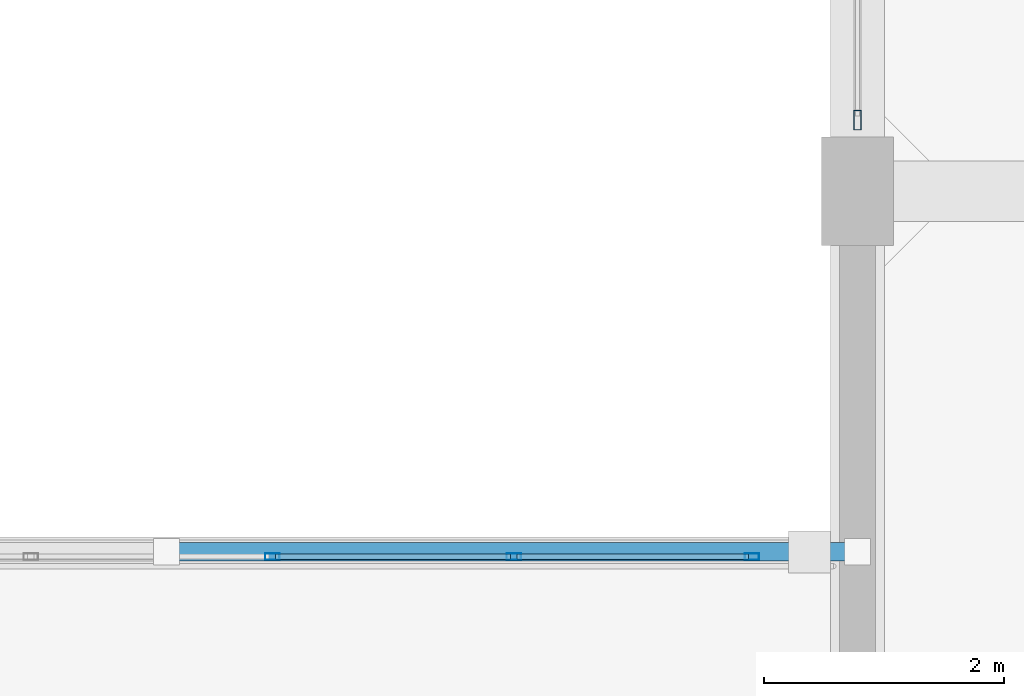
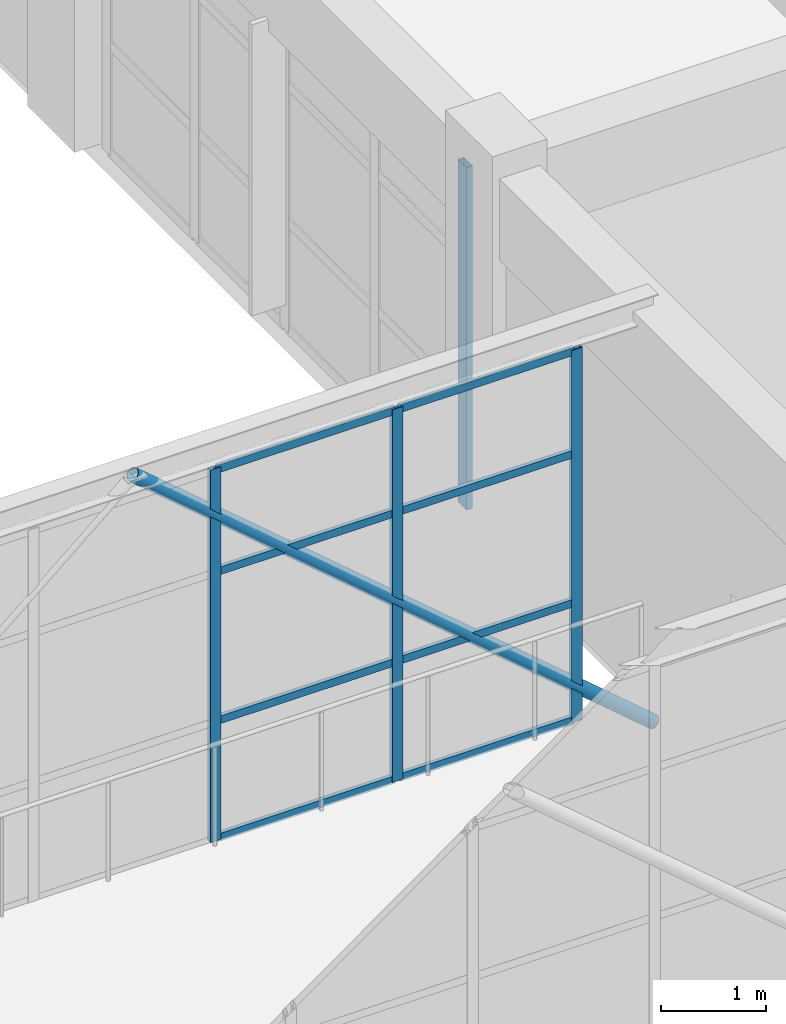
# One storey, part 105 of 248: 13 members, 2 elements without a shape of their own.
"""IFC4 building model written with IfcOpenShell, lengths in metres."""

from ifc_helpers import new_model, si_unit, direction, frame, origin, origin_2d, place, context, subcontext, project, spatial, hollow_rectangle, hollow_circle, extrude, material, layer, layer_set, material_profile, profile_set, type_object, element, aggregate, save


model = new_model("IFC4")

# Units and contexts
model_context = context("Model", 3, precision=1e-05, world=origin(), true_north=direction((0.0, 1.0)))
body_context = subcontext(model_context, "Body", "Model", "MODEL_VIEW")
ifc_project = project(units=[si_unit("LENGTHUNIT", "METRE"), si_unit("AREAUNIT", "SQUARE_METRE"), si_unit("VOLUMEUNIT", "CUBIC_METRE"), si_unit("PLANEANGLEUNIT", "RADIAN"), si_unit("MASSUNIT", "GRAM", prefix="KILO")], contexts=[model_context])

# Site, building, storey
site_placement = place(None, origin())
site = spatial("IfcSite", under=ifc_project, at=site_placement, CompositionType="ELEMENT")
building_placement = place(site_placement, origin())
building = spatial("IfcBuilding", under=site, at=building_placement, Name="Canggui Botanical Conservatory", CompositionType="ELEMENT")
storey_placement = place(building_placement, frame((0.0, 0.0, 5.39990234375)))
storey = spatial("IfcBuildingStorey", under=building, at=storey_placement, Name="L02", CompositionType="ELEMENT", Elevation=5.39990234375)

# Curtain wall, member
ifc_material_1 = material(Name="Thermally Broken Aluminium", Category="aluminium")
ifc_layer_1 = layer(ifc_material_1, 0.1650390625, Name="Thermally Broken Aluminium", Category="aluminium")
ifc_layer_set_1 = layer_set([ifc_layer_1], Name="Thermally Broken Aluminium")
curtain_wall_type_1 = type_object("IfcCurtainWallType", Name="CW-UNIT-B", PredefinedType="USERDEFINED", material=ifc_layer_set_1)
curtain_wall_1_placement = place(storey_placement, origin())
curtain_wall_1 = element("IfcCurtainWall", 1, at=curtain_wall_1_placement, inside=storey, type_object=curtain_wall_type_1, Name="Facade Curtain Wall CW-TWR-L02-08", ObjectType="UNITISED CURTAIN WALL", PredefinedType="USERDEFINED")
ifc_material_profile_1 = material_profile(ifc_material_1, hollow_rectangle(XDim=0.06494140625, YDim=0.1650390625, WallThickness=0.00390625, at=origin_2d()), Name="CWM 65x165x4")
ifc_profile_set_1 = profile_set([ifc_material_profile_1], Name="Thermally Broken Aluminium")
member_type_1 = type_object("IfcMemberType", Name="CWM-02", PredefinedType="MULLION", material=ifc_profile_set_1)
member_1_placement = place(storey_placement, frame((130.0, 34.592529296875, 0.0), z_axis=(0.0, 0.0, 1.0), x_axis=(-1.0, 0.0, 0.0)))
member_1 = element("IfcMember", 2, at=member_1_placement, type_object=member_type_1, Name="CW-02 mullion 1", PredefinedType="MULLION", context=body_context, shape_type="SweptSolid", body=[
    extrude(hollow_rectangle(XDim=0.06494140625, YDim=0.1650390625, WallThickness=0.00390625, at=origin_2d()), origin(), (0.0, 0.0, 1.0), 4.0),
])
aggregate(curtain_wall_1, [member_1])

# Curtain wall, members
ifc_layer_2 = layer(ifc_material_1, 0.1201171875, Name="Thermally Broken Aluminium", Category="aluminium")
ifc_layer_set_2 = layer_set([ifc_layer_2], Name="Thermally Broken Aluminium")
curtain_wall_type_2 = type_object("IfcCurtainWallType", Name="CW-STICK-B", PredefinedType="USERDEFINED", material=ifc_layer_set_2)
curtain_wall_2_placement = place(storey_placement, origin())
curtain_wall_2 = element("IfcCurtainWall", 3, at=curtain_wall_2_placement, inside=storey, type_object=curtain_wall_type_2, Name="Facade Curtain Wall CW-SB-01-2", ObjectType="STICK GLAZED WALL", PredefinedType="USERDEFINED")
ifc_material_profile_2 = material_profile(ifc_material_1, hollow_rectangle(XDim=0.054931640625, YDim=0.1201171875, WallThickness=0.0029296875, at=origin_2d()), Name="CWM 55x120x3")
ifc_profile_set_2 = profile_set([ifc_material_profile_2], Name="Thermally Broken Aluminium")
member_type_2 = type_object("IfcMemberType", Name="CWM-05", PredefinedType="MULLION", material=ifc_profile_set_2)
member_2_placement = place(storey_placement, frame((125.130615234375, 30.9599609375, 0.0), z_axis=(0.0, 0.0, 1.0), x_axis=(0.0, 1.0, 0.0)))
member_2 = element("IfcMember", 4, at=member_2_placement, type_object=member_type_2, Name="CW-05 mullion 30", PredefinedType="MULLION", context=body_context, shape_type="SweptSolid", body=[
    extrude(hollow_rectangle(XDim=0.054931640625, YDim=0.1201171875, WallThickness=0.0029296875, at=origin_2d()), origin(), (0.0, 0.0, 1.0), 4.35009765625),
])
member_3_placement = place(storey_placement, frame((127.140380859375, 30.9599609375, 0.0), z_axis=(0.0, 0.0, 1.0), x_axis=(0.0, 1.0, 0.0)))
member_3 = element("IfcMember", 5, at=member_3_placement, type_object=member_type_2, Name="CW-05 mullion 31", PredefinedType="MULLION", context=body_context, shape_type="SweptSolid", body=[
    extrude(hollow_rectangle(XDim=0.054931640625, YDim=0.1201171875, WallThickness=0.0029296875, at=origin_2d()), origin(), (0.0, 0.0, 1.0), 4.35009765625),
])
member_4_placement = place(storey_placement, frame((129.12255859375, 30.9599609375, 0.0), z_axis=(0.0, 0.0, 1.0), x_axis=(0.0, 1.0, 0.0)))
member_4 = element("IfcMember", 6, at=member_4_placement, type_object=member_type_2, Name="CW-05 mullion 32", PredefinedType="MULLION", context=body_context, shape_type="SweptSolid", body=[
    extrude(hollow_rectangle(XDim=0.054931640625, YDim=0.1201171875, WallThickness=0.0029296875, at=origin_2d()), origin(), (0.0, 0.0, 1.0), 4.35009765625),
])
ifc_material_profile_3 = material_profile(ifc_material_1, hollow_rectangle(XDim=0.044921875, YDim=0.090087890625, WallThickness=0.0029296875, at=origin_2d()), Name="CWT 45x90x3")
ifc_profile_set_3 = profile_set([ifc_material_profile_3], Name="Thermally Broken Aluminium")
member_type_3 = type_object("IfcMemberType", Name="CWT-05", PredefinedType="USERDEFINED", material=ifc_profile_set_3)
member_5_placement = place(storey_placement, frame((125.158203125, 30.9599609375, 0.022705078125), z_axis=(1.0, 0.0, 0.0), x_axis=(0.0, 1.0, 0.0)))
member_5 = element("IfcMember", 7, at=member_5_placement, type_object=member_type_3, Name="CW-05 transom 30.1", ObjectType="TRANSOM", PredefinedType="USERDEFINED", context=body_context, shape_type="SweptSolid", body=[
    extrude(hollow_rectangle(XDim=0.044921875, YDim=0.090087890625, WallThickness=0.0029296875, at=origin_2d()), origin(), (0.0, 0.0, 1.0), 1.95458984375),
])
member_6_placement = place(storey_placement, frame((125.158203125, 30.9599609375, 1.39208984375), z_axis=(1.0, 0.0, 0.0), x_axis=(0.0, 1.0, 0.0)))
member_6 = element("IfcMember", 8, at=member_6_placement, type_object=member_type_3, Name="CW-05 transom 30.2", ObjectType="TRANSOM", PredefinedType="USERDEFINED", context=body_context, shape_type="SweptSolid", body=[
    extrude(hollow_rectangle(XDim=0.044921875, YDim=0.090087890625, WallThickness=0.0029296875, at=origin_2d()), origin(), (0.0, 0.0, 1.0), 1.95458984375),
])
member_7_placement = place(storey_placement, frame((125.158203125, 30.9599609375, 3.132080078125), z_axis=(1.0, 0.0, 0.0), x_axis=(0.0, 1.0, 0.0)))
member_7 = element("IfcMember", 9, at=member_7_placement, type_object=member_type_3, Name="CW-05 transom 30.3", ObjectType="TRANSOM", PredefinedType="USERDEFINED", context=body_context, shape_type="SweptSolid", body=[
    extrude(hollow_rectangle(XDim=0.044921875, YDim=0.090087890625, WallThickness=0.0029296875, at=origin_2d()), origin(), (0.0, 0.0, 1.0), 1.95458984375),
])
member_8_placement = place(storey_placement, frame((125.158203125, 30.9599609375, 4.32763671875), z_axis=(1.0, 0.0, 0.0), x_axis=(0.0, 1.0, 0.0)))
member_8 = element("IfcMember", 10, at=member_8_placement, type_object=member_type_3, Name="CW-05 transom 30.4", ObjectType="TRANSOM", PredefinedType="USERDEFINED", context=body_context, shape_type="SweptSolid", body=[
    extrude(hollow_rectangle(XDim=0.044921875, YDim=0.090087890625, WallThickness=0.0029296875, at=origin_2d()), origin(), (0.0, 0.0, 1.0), 1.95458984375),
])
member_9_placement = place(storey_placement, frame((127.167724609375, 30.9599609375, 0.022705078125), z_axis=(1.0, 0.0, 0.0), x_axis=(0.0, 1.0, 0.0)))
member_9 = element("IfcMember", 11, at=member_9_placement, type_object=member_type_3, Name="CW-05 transom 31.1", ObjectType="TRANSOM", PredefinedType="USERDEFINED", context=body_context, shape_type="SweptSolid", body=[
    extrude(hollow_rectangle(XDim=0.044921875, YDim=0.090087890625, WallThickness=0.0029296875, at=origin_2d()), origin(), (0.0, 0.0, 1.0), 1.92724609375),
])
member_10_placement = place(storey_placement, frame((127.167724609375, 30.9599609375, 1.39208984375), z_axis=(1.0, 0.0, 0.0), x_axis=(0.0, 1.0, 0.0)))
member_10 = element("IfcMember", 12, at=member_10_placement, type_object=member_type_3, Name="CW-05 transom 31.2", ObjectType="TRANSOM", PredefinedType="USERDEFINED", context=body_context, shape_type="SweptSolid", body=[
    extrude(hollow_rectangle(XDim=0.044921875, YDim=0.090087890625, WallThickness=0.0029296875, at=origin_2d()), origin(), (0.0, 0.0, 1.0), 1.92724609375),
])
member_11_placement = place(storey_placement, frame((127.167724609375, 30.9599609375, 3.132080078125), z_axis=(1.0, 0.0, 0.0), x_axis=(0.0, 1.0, 0.0)))
member_11 = element("IfcMember", 13, at=member_11_placement, type_object=member_type_3, Name="CW-05 transom 31.3", ObjectType="TRANSOM", PredefinedType="USERDEFINED", context=body_context, shape_type="SweptSolid", body=[
    extrude(hollow_rectangle(XDim=0.044921875, YDim=0.090087890625, WallThickness=0.0029296875, at=origin_2d()), origin(), (0.0, 0.0, 1.0), 1.92724609375),
])
member_12_placement = place(storey_placement, frame((127.167724609375, 30.9599609375, 4.32763671875), z_axis=(1.0, 0.0, 0.0), x_axis=(0.0, 1.0, 0.0)))
member_12 = element("IfcMember", 14, at=member_12_placement, type_object=member_type_3, Name="CW-05 transom 31.4", ObjectType="TRANSOM", PredefinedType="USERDEFINED", context=body_context, shape_type="SweptSolid", body=[
    extrude(hollow_rectangle(XDim=0.044921875, YDim=0.090087890625, WallThickness=0.0029296875, at=origin_2d()), origin(), (0.0, 0.0, 1.0), 1.92724609375),
])
aggregate(curtain_wall_2, [member_2, member_3, member_4, member_5, member_6, member_7, member_8, member_9, member_10, member_11, member_12])

# Member
ifc_material_2 = material(Name="Steel Q355C", Category="steel")
ifc_material_profile_4 = material_profile(ifc_material_2, hollow_circle(Radius=0.075927734375, WallThickness=0.006103515625, at=origin_2d()), Name="CHS 152x6")
ifc_profile_set_4 = profile_set([ifc_material_profile_4], Name="Steel Q355C")
member_type_4 = type_object("IfcMemberType", Name="MEM-GSD04", PredefinedType="RAFTER", material=ifc_profile_set_4)
member_13_placement = place(storey_placement, frame((124.25, 31.0, 4.550048828125), z_axis=(0.761128593641, 0.0, -0.648601005196), x_axis=(0.0, 1.0, 0.0)))
element("IfcMember", 15, at=member_13_placement, inside=storey, type_object=member_type_4, Name="SB-01 Truss Web Rafter 2.8B", PredefinedType="RAFTER", context=body_context, shape_type="SweptSolid", body=[
    extrude(hollow_circle(Radius=0.075927734375, WallThickness=0.006103515625, at=origin_2d()), origin(), (0.0, 0.0, 1.0), 7.5546875),
])

save(model, "model.ifc")
